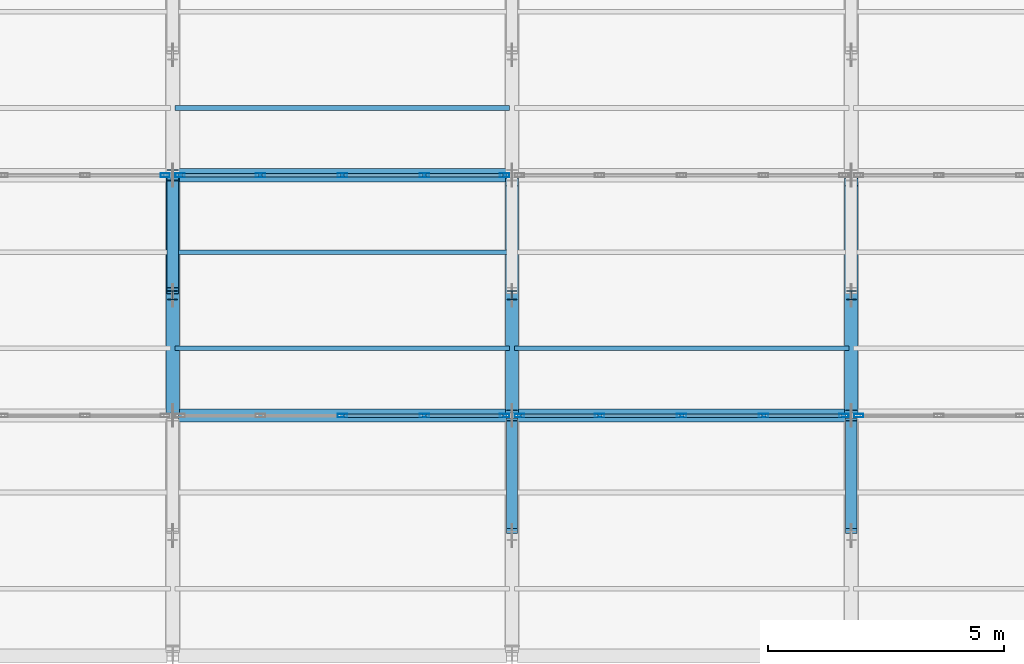
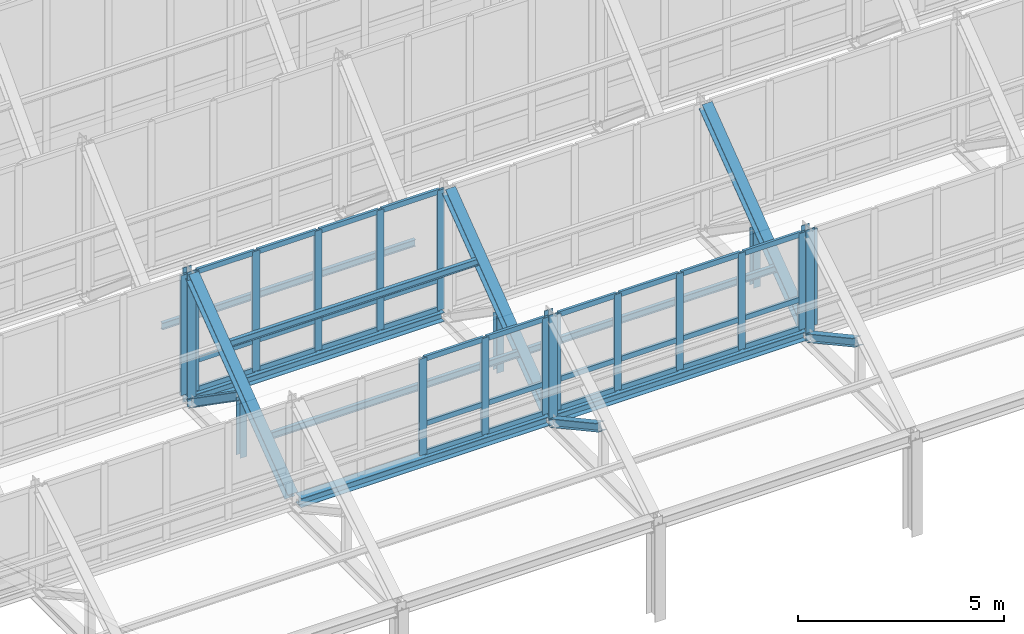
# One storey, part 26 of 157: 61 members, 3 beams, 5 elements without a shape of their own.
"""IFC4 building model written with IfcOpenShell, lengths in metres."""

from ifc_helpers import new_model, si_unit, direction, frame, origin, origin_2d, place, context, subcontext, project, spatial, hollow_rectangle, i_section, extrude, material, material_profile, profile_set, type_object, element, aggregate, save


model = new_model("IFC4")

# Units and contexts
model_context = context("Model", 3, precision=1e-05, world=origin(), true_north=direction((0.0, 1.0)))
body_context = subcontext(model_context, "Body", "Model", "MODEL_VIEW")
ifc_project = project(units=[si_unit("LENGTHUNIT", "METRE"), si_unit("AREAUNIT", "SQUARE_METRE"), si_unit("VOLUMEUNIT", "CUBIC_METRE"), si_unit("PLANEANGLEUNIT", "RADIAN"), si_unit("MASSUNIT", "GRAM", prefix="KILO")], contexts=[model_context])

# Site, building, storey
site_placement = place(None, origin())
site = spatial("IfcSite", under=ifc_project, at=site_placement, CompositionType="ELEMENT")
building_placement = place(site_placement, origin())
building = spatial("IfcBuilding", under=site, at=building_placement, Name="Suanplinth Sawtooth Commons", CompositionType="ELEMENT")
storey_placement = place(building_placement, frame((0.0, 0.0, 9.0)))
storey = spatial("IfcBuildingStorey", under=building, at=storey_placement, Name="L02", CompositionType="ELEMENT", Elevation=9.0)

# Beams
ifc_material_1 = material(Name="Steel S355JR", Category="steel")
ifc_material_profile_1 = material_profile(ifc_material_1, i_section(OverallWidth=0.280029296875, OverallDepth=0.27001953125, WebThickness=0.008056640625, FlangeThickness=0.012939453125, at=origin_2d()), Name="HEA 280")
ifc_profile_set_1 = profile_set([ifc_material_profile_1], Name="Steel S355JR")
beam_type = type_object("IfcBeamType", Name="B-16", PredefinedType="USERDEFINED", material=ifc_profile_set_1)
for number, where, z_axis, x_axis, name in (
    (1, (79.320068359375, 55.5, 2.820068359375), (1.0, 0.0, 0.0), (0.0, 1.0, 0.0), "Sawtooth Valley Girder T2-B3"),
    (2, (86.52001953125, 55.5, 2.820068359375), (1.0, 0.0, 0.0), (0.0, 1.0, 0.0), "Sawtooth Valley Girder T2-B4"),
    (3, (79.320068359375, 60.60009765625, 2.820068359375), (1.0, 0.0, 0.0), (0.0, 1.0, 0.0), "Sawtooth Valley Girder T3-B3"),
):
    element("IfcBeam", number, at=place(storey_placement, frame(where, z_axis=z_axis, x_axis=x_axis)), inside=storey, type_object=beam_type, Name=name, ObjectType="GIRDER", PredefinedType="USERDEFINED", context=body_context, shape_type="SweptSolid", body=[
        extrude(i_section(OverallWidth=0.280029296875, OverallDepth=0.27001953125, WebThickness=0.008056640625, FlangeThickness=0.012939453125, at=origin_2d()), origin(), (0.0, 0.0, 1.0), 6.9599609375),
    ])

# Members
ifc_material_profile_2 = material_profile(ifc_material_1, i_section(OverallWidth=0.280029296875, OverallDepth=0.280029296875, WebThickness=0.010498046875, FlangeThickness=0.01806640625, at=origin_2d()), Name="HEB 280")
ifc_profile_set_2 = profile_set([ifc_material_profile_2], Name="Steel S355JR")
member_type_1 = type_object("IfcMemberType", Name="M-02", PredefinedType="CHORD", material=ifc_profile_set_2)
for number, where, z_axis, x_axis, name in (
    (4, (79.199951171875, 55.639892578125, 2.919921875), (0.0, 0.799596436712, 0.600537707723), (-1.0, 0.0, 0.0), "Sawtooth Truss T3 Top Chord 2"),
    (5, (86.39990234375, 55.639892578125, 2.919921875), (0.0, 0.799596436712, 0.600537707723), (-1.0, 0.0, 0.0), "Sawtooth Truss T4 Top Chord 2"),
    (6, (93.60009765625, 55.639892578125, 2.919921875), (0.0, 0.799596436712, 0.600537707723), (-1.0, 0.0, 0.0), "Sawtooth Truss T5 Top Chord 2"),
):
    element("IfcMember", number, at=place(storey_placement, frame(where, z_axis=z_axis, x_axis=x_axis)), inside=storey, type_object=member_type_1, Name=name, PredefinedType="CHORD", context=body_context, shape_type="SweptSolid", body=[
        extrude(i_section(OverallWidth=0.280029296875, OverallDepth=0.280029296875, WebThickness=0.010498046875, FlangeThickness=0.01806640625, at=origin_2d()), origin(), (0.0, 0.0, 1.0), 6.028076171875),
    ])
ifc_material_profile_3 = material_profile(ifc_material_1, i_section(OverallWidth=0.239990234375, OverallDepth=0.22998046875, WebThickness=0.007568359375, FlangeThickness=0.011962890625, at=origin_2d()), Name="HEA 240")
ifc_profile_set_3 = profile_set([ifc_material_profile_3], Name="Steel S355JR")
member_type_2 = type_object("IfcMemberType", Name="M-03", PredefinedType="BRACE", material=ifc_profile_set_3)
member_1_placement = place(storey_placement, frame((79.199951171875, 58.14990234375, 4.3701171875), z_axis=(0.0, 0.821038438566, -0.570872912649), x_axis=(-1.0, 0.0, 0.0)))
element("IfcMember", 7, at=member_1_placement, inside=storey, type_object=member_type_2, Name="Sawtooth Truss T3 Web Diagonal 2", PredefinedType="BRACE", context=body_context, shape_type="SweptSolid", body=[
    extrude(i_section(OverallWidth=0.239990234375, OverallDepth=0.22998046875, WebThickness=0.007568359375, FlangeThickness=0.011962890625, at=origin_2d()), origin(), (0.0, 0.0, 1.0), 2.837890625),
])
for number, where, z_axis, x_axis, name in (
    (8, (86.39990234375, 53.050048828125, 4.02001953125), (0.0, 0.878022125023, -0.478620045517), (-1.0, 0.0, 0.0), "Sawtooth Truss T4 Web Diagonal 1"),
    (9, (93.60009765625, 53.050048828125, 4.02001953125), (0.0, 0.878022125023, -0.478620045517), (-1.0, 0.0, 0.0), "Sawtooth Truss T5 Web Diagonal 1"),
):
    element("IfcMember", number, at=place(storey_placement, frame(where, z_axis=z_axis, x_axis=x_axis)), inside=storey, type_object=member_type_2, Name=name, PredefinedType="BRACE", context=body_context, shape_type="SweptSolid", body=[
        extrude(i_section(OverallWidth=0.239990234375, OverallDepth=0.22998046875, WebThickness=0.007568359375, FlangeThickness=0.011962890625, at=origin_2d()), origin(), (0.0, 0.0, 1.0), 2.653564453125),
    ])
ifc_material_profile_4 = material_profile(ifc_material_1, i_section(OverallWidth=0.199951171875, OverallDepth=0.18994140625, WebThickness=0.006591796875, FlangeThickness=0.010009765625, at=origin_2d()), Name="HEA 200")
ifc_profile_set_4 = profile_set([ifc_material_profile_4], Name="Steel S355JR")
member_type_3 = type_object("IfcMemberType", Name="M-04", PredefinedType="BRACE", material=ifc_profile_set_4)
for number, where, z_axis, x_axis, name in (
    (10, (79.199951171875, 58.050048828125, 2.64990234375), (0.0, 0.0, 1.0), (1.0, 0.0, 0.0), "Sawtooth Truss T3 Mid Web Post 2"),
    (11, (86.39990234375, 58.050048828125, 2.64990234375), (0.0, 0.0, 1.0), (1.0, 0.0, 0.0), "Sawtooth Truss T4 Mid Web Post 2"),
    (12, (93.60009765625, 58.050048828125, 2.64990234375), (0.0, 0.0, 1.0), (1.0, 0.0, 0.0), "Sawtooth Truss T5 Mid Web Post 2"),
):
    element("IfcMember", number, at=place(storey_placement, frame(where, z_axis=z_axis, x_axis=x_axis)), inside=storey, type_object=member_type_3, Name=name, PredefinedType="BRACE", context=body_context, shape_type="SweptSolid", body=[
        extrude(i_section(OverallWidth=0.199951171875, OverallDepth=0.18994140625, WebThickness=0.006591796875, FlangeThickness=0.010009765625, at=origin_2d()), origin(), (0.0, 0.0, 1.0), 1.7001953125),
    ])
ifc_material_profile_5 = material_profile(ifc_material_1, i_section(OverallWidth=0.239990234375, OverallDepth=0.239990234375, WebThickness=0.010009765625, FlangeThickness=0.01708984375, at=origin_2d()), Name="HEB 240")
ifc_profile_set_5 = profile_set([ifc_material_profile_5], Name="Steel S355JR")
member_type_4 = type_object("IfcMemberType", Name="M-05", PredefinedType="POST", material=ifc_profile_set_5)
member_2_placement = place(storey_placement, frame((79.199951171875, 60.60009765625, 2.64990234375), z_axis=(0.0, 0.0, 1.0), x_axis=(1.0, 0.0, 0.0)))
element("IfcMember", 13, at=member_2_placement, inside=storey, type_object=member_type_4, Name="Sawtooth Truss T3 Clerestory Post 2", PredefinedType="POST", context=body_context, shape_type="SweptSolid", body=[
    extrude(i_section(OverallWidth=0.239990234375, OverallDepth=0.239990234375, WebThickness=0.010009765625, FlangeThickness=0.01708984375, at=origin_2d()), origin(), (0.0, 0.0, 1.0), 3.989990234375),
])
for number, where, z_axis, x_axis, name in (
    (14, (86.39990234375, 55.5, 2.64990234375), (0.0, 0.0, 1.0), (1.0, 0.0, 0.0), "Sawtooth Truss T4 Clerestory Post 1"),
    (15, (93.60009765625, 55.5, 2.64990234375), (0.0, 0.0, 1.0), (1.0, 0.0, 0.0), "Sawtooth Truss T5 Clerestory Post 1"),
):
    element("IfcMember", number, at=place(storey_placement, frame(where, z_axis=z_axis, x_axis=x_axis)), inside=storey, type_object=member_type_4, Name=name, PredefinedType="POST", context=body_context, shape_type="SweptSolid", body=[
        extrude(i_section(OverallWidth=0.239990234375, OverallDepth=0.239990234375, WebThickness=0.010009765625, FlangeThickness=0.01708984375, at=origin_2d()), origin(), (0.0, 0.0, 1.0), 3.2900390625),
    ])
ifc_material_2 = material(Name="Steel SS400", Category="steel")
ifc_material_profile_6 = material_profile(ifc_material_2, i_section(OverallWidth=0.10009765625, OverallDepth=0.199951171875, WebThickness=0.005615234375, FlangeThickness=0.008544921875, at=origin_2d()), Name="IPE 200")
ifc_profile_set_6 = profile_set([ifc_material_profile_6], Name="Steel SS400")
member_type_5 = type_object("IfcMemberType", Name="M-06", PredefinedType="PURLIN", material=ifc_profile_set_6)
for number, where, z_axis, x_axis, name in (
    (16, (79.25, 56.927978515625, 3.87353515625), (1.0, 0.0, 0.0), (0.0, 1.0, 0.0), "Sawtooth Roof Purlin T2-B3-P1"),
    (17, (79.25, 58.968017578125, 5.353515625), (1.0, 0.0, 0.0), (0.0, 1.0, 0.0), "Sawtooth Roof Purlin T2-B3-P2"),
    (18, (86.449951171875, 56.927978515625, 3.87353515625), (1.0, 0.0, 0.0), (0.0, 1.0, 0.0), "Sawtooth Roof Purlin T2-B4-P1"),
    (19, (79.25, 62.028076171875, 4.067138671875), (1.0, 0.0, 0.0), (0.0, 1.0, 0.0), "Sawtooth Roof Purlin T3-B3-P1"),
):
    element("IfcMember", number, at=place(storey_placement, frame(where, z_axis=z_axis, x_axis=x_axis)), inside=storey, type_object=member_type_5, Name=name, PredefinedType="PURLIN", context=body_context, shape_type="SweptSolid", body=[
        extrude(i_section(OverallWidth=0.10009765625, OverallDepth=0.199951171875, WebThickness=0.005615234375, FlangeThickness=0.008544921875, at=origin_2d()), origin(), (0.0, 0.0, 1.0), 7.10009765625),
    ])

# Curtain wall, members
ifc_material_3 = material(Name="Anodized aluminium and low-E glazing", Category="aluminium")
curtain_wall_type = type_object("IfcCurtainWallType", Name="CW-03", PredefinedType="USERDEFINED", material=ifc_material_3)
curtain_wall_1_placement = place(storey_placement, origin())
curtain_wall_1 = element("IfcCurtainWall", 20, at=curtain_wall_1_placement, inside=storey, type_object=curtain_wall_type, Name="Curtain Wall CW-SAW-T1-B3", ObjectType="CURTAIN WALL", PredefinedType="USERDEFINED")
ifc_material_4 = material(Name="Anodized aluminium 6063-T6", Category="aluminium")
ifc_material_profile_7 = material_profile(ifc_material_4, hollow_rectangle(XDim=0.074951171875, YDim=0.199951171875, WallThickness=0.0048828125, at=origin_2d()), Name="ALU-MUL 75x200")
ifc_profile_set_7 = profile_set([ifc_material_profile_7], Name="Anodized aluminium 6063-T6")
member_type_6 = type_object("IfcMemberType", Name="M-14", PredefinedType="MULLION", material=ifc_profile_set_7)
member_3_placement = place(storey_placement, frame((82.800048828125, 55.5, 2.97998046875), z_axis=(0.0, 0.0, 1.0), x_axis=(0.0, 1.0, 0.0)))
member_3 = element("IfcMember", 21, at=member_3_placement, type_object=member_type_6, Name="CW-03 mullion 3", PredefinedType="MULLION", context=body_context, shape_type="SweptSolid", body=[
    extrude(hollow_rectangle(XDim=0.074951171875, YDim=0.199951171875, WallThickness=0.0048828125, at=origin_2d()), origin(), (0.0, 0.0, 1.0), 2.860107421875),
])
member_4_placement = place(storey_placement, frame((84.5400390625, 55.5, 2.97998046875), z_axis=(0.0, 0.0, 1.0), x_axis=(0.0, 1.0, 0.0)))
member_4 = element("IfcMember", 22, at=member_4_placement, type_object=member_type_6, Name="CW-03 mullion 4", PredefinedType="MULLION", context=body_context, shape_type="SweptSolid", body=[
    extrude(hollow_rectangle(XDim=0.074951171875, YDim=0.199951171875, WallThickness=0.0048828125, at=origin_2d()), origin(), (0.0, 0.0, 1.0), 2.860107421875),
])
member_5_placement = place(storey_placement, frame((86.242431640625, 55.5, 2.97998046875), z_axis=(0.0, 0.0, 1.0), x_axis=(0.0, 1.0, 0.0)))
member_5 = element("IfcMember", 23, at=member_5_placement, type_object=member_type_6, Name="CW-03 mullion 5", PredefinedType="MULLION", context=body_context, shape_type="SweptSolid", body=[
    extrude(hollow_rectangle(XDim=0.074951171875, YDim=0.199951171875, WallThickness=0.0048828125, at=origin_2d()), origin(), (0.0, 0.0, 1.0), 2.860107421875),
])

curtain_wall_2_placement = place(storey_placement, origin())
curtain_wall_2 = element("IfcCurtainWall", 24, at=curtain_wall_2_placement, inside=storey, type_object=curtain_wall_type, Name="Curtain Wall CW-SAW-T1-B4", ObjectType="CURTAIN WALL", PredefinedType="USERDEFINED")
member_6_placement = place(storey_placement, frame((86.5576171875, 55.5, 2.97998046875), z_axis=(0.0, 0.0, 1.0), x_axis=(0.0, 1.0, 0.0)))
member_6 = element("IfcMember", 25, at=member_6_placement, type_object=member_type_6, Name="CW-03 mullion 1", PredefinedType="MULLION", context=body_context, shape_type="SweptSolid", body=[
    extrude(hollow_rectangle(XDim=0.074951171875, YDim=0.199951171875, WallThickness=0.0048828125, at=origin_2d()), origin(), (0.0, 0.0, 1.0), 2.860107421875),
])
member_7_placement = place(storey_placement, frame((88.260009765625, 55.5, 2.97998046875), z_axis=(0.0, 0.0, 1.0), x_axis=(0.0, 1.0, 0.0)))
member_7 = element("IfcMember", 26, at=member_7_placement, type_object=member_type_6, Name="CW-03 mullion 2", PredefinedType="MULLION", context=body_context, shape_type="SweptSolid", body=[
    extrude(hollow_rectangle(XDim=0.074951171875, YDim=0.199951171875, WallThickness=0.0048828125, at=origin_2d()), origin(), (0.0, 0.0, 1.0), 2.860107421875),
])
member_8_placement = place(storey_placement, frame((90.0, 55.5, 2.97998046875), z_axis=(0.0, 0.0, 1.0), x_axis=(0.0, 1.0, 0.0)))
member_8 = element("IfcMember", 27, at=member_8_placement, type_object=member_type_6, Name="CW-03 mullion 3", PredefinedType="MULLION", context=body_context, shape_type="SweptSolid", body=[
    extrude(hollow_rectangle(XDim=0.074951171875, YDim=0.199951171875, WallThickness=0.0048828125, at=origin_2d()), origin(), (0.0, 0.0, 1.0), 2.860107421875),
])
member_9_placement = place(storey_placement, frame((91.739990234375, 55.5, 2.97998046875), z_axis=(0.0, 0.0, 1.0), x_axis=(0.0, 1.0, 0.0)))
member_9 = element("IfcMember", 28, at=member_9_placement, type_object=member_type_6, Name="CW-03 mullion 4", PredefinedType="MULLION", context=body_context, shape_type="SweptSolid", body=[
    extrude(hollow_rectangle(XDim=0.074951171875, YDim=0.199951171875, WallThickness=0.0048828125, at=origin_2d()), origin(), (0.0, 0.0, 1.0), 2.860107421875),
])
member_10_placement = place(storey_placement, frame((93.4423828125, 55.5, 2.97998046875), z_axis=(0.0, 0.0, 1.0), x_axis=(0.0, 1.0, 0.0)))
member_10 = element("IfcMember", 29, at=member_10_placement, type_object=member_type_6, Name="CW-03 mullion 5", PredefinedType="MULLION", context=body_context, shape_type="SweptSolid", body=[
    extrude(hollow_rectangle(XDim=0.074951171875, YDim=0.199951171875, WallThickness=0.0048828125, at=origin_2d()), origin(), (0.0, 0.0, 1.0), 2.860107421875),
])

# Curtain wall, member
curtain_wall_3_placement = place(storey_placement, origin())
curtain_wall_3 = element("IfcCurtainWall", 30, at=curtain_wall_3_placement, inside=storey, type_object=curtain_wall_type, Name="Curtain Wall CW-SAW-T1-B5", ObjectType="CURTAIN WALL", PredefinedType="USERDEFINED")
member_11_placement = place(storey_placement, frame((93.757568359375, 55.5, 2.97998046875), z_axis=(0.0, 0.0, 1.0), x_axis=(0.0, 1.0, 0.0)))
member_11 = element("IfcMember", 31, at=member_11_placement, type_object=member_type_6, Name="CW-03 mullion 1", PredefinedType="MULLION", context=body_context, shape_type="SweptSolid", body=[
    extrude(hollow_rectangle(XDim=0.074951171875, YDim=0.199951171875, WallThickness=0.0048828125, at=origin_2d()), origin(), (0.0, 0.0, 1.0), 2.860107421875),
])
aggregate(curtain_wall_3, [member_11])

curtain_wall_4_placement = place(storey_placement, origin())
curtain_wall_4 = element("IfcCurtainWall", 32, at=curtain_wall_4_placement, inside=storey, type_object=curtain_wall_type, Name="Curtain Wall CW-SAW-T2-B2", ObjectType="CURTAIN WALL", PredefinedType="USERDEFINED")
member_12_placement = place(storey_placement, frame((79.04248046875, 60.60009765625, 2.97998046875), z_axis=(0.0, 0.0, 1.0), x_axis=(0.0, 1.0, 0.0)))
member_12 = element("IfcMember", 33, at=member_12_placement, type_object=member_type_6, Name="CW-03 mullion 5", PredefinedType="MULLION", context=body_context, shape_type="SweptSolid", body=[
    extrude(hollow_rectangle(XDim=0.074951171875, YDim=0.199951171875, WallThickness=0.0048828125, at=origin_2d()), origin(), (0.0, 0.0, 1.0), 3.56005859375),
])
aggregate(curtain_wall_4, [member_12])

# Curtain wall, members
curtain_wall_5_placement = place(storey_placement, origin())
curtain_wall_5 = element("IfcCurtainWall", 34, at=curtain_wall_5_placement, inside=storey, type_object=curtain_wall_type, Name="Curtain Wall CW-SAW-T2-B3", ObjectType="CURTAIN WALL", PredefinedType="USERDEFINED")
member_13_placement = place(storey_placement, frame((79.357421875, 60.60009765625, 2.97998046875), z_axis=(0.0, 0.0, 1.0), x_axis=(0.0, 1.0, 0.0)))
member_13 = element("IfcMember", 35, at=member_13_placement, type_object=member_type_6, Name="CW-03 mullion 1", PredefinedType="MULLION", context=body_context, shape_type="SweptSolid", body=[
    extrude(hollow_rectangle(XDim=0.074951171875, YDim=0.199951171875, WallThickness=0.0048828125, at=origin_2d()), origin(), (0.0, 0.0, 1.0), 3.56005859375),
])
member_14_placement = place(storey_placement, frame((81.06005859375, 60.60009765625, 2.97998046875), z_axis=(0.0, 0.0, 1.0), x_axis=(0.0, 1.0, 0.0)))
member_14 = element("IfcMember", 36, at=member_14_placement, type_object=member_type_6, Name="CW-03 mullion 2", PredefinedType="MULLION", context=body_context, shape_type="SweptSolid", body=[
    extrude(hollow_rectangle(XDim=0.074951171875, YDim=0.199951171875, WallThickness=0.0048828125, at=origin_2d()), origin(), (0.0, 0.0, 1.0), 3.56005859375),
])
member_15_placement = place(storey_placement, frame((82.800048828125, 60.60009765625, 2.97998046875), z_axis=(0.0, 0.0, 1.0), x_axis=(0.0, 1.0, 0.0)))
member_15 = element("IfcMember", 37, at=member_15_placement, type_object=member_type_6, Name="CW-03 mullion 3", PredefinedType="MULLION", context=body_context, shape_type="SweptSolid", body=[
    extrude(hollow_rectangle(XDim=0.074951171875, YDim=0.199951171875, WallThickness=0.0048828125, at=origin_2d()), origin(), (0.0, 0.0, 1.0), 3.56005859375),
])
member_16_placement = place(storey_placement, frame((84.5400390625, 60.60009765625, 2.97998046875), z_axis=(0.0, 0.0, 1.0), x_axis=(0.0, 1.0, 0.0)))
member_16 = element("IfcMember", 38, at=member_16_placement, type_object=member_type_6, Name="CW-03 mullion 4", PredefinedType="MULLION", context=body_context, shape_type="SweptSolid", body=[
    extrude(hollow_rectangle(XDim=0.074951171875, YDim=0.199951171875, WallThickness=0.0048828125, at=origin_2d()), origin(), (0.0, 0.0, 1.0), 3.56005859375),
])
member_17_placement = place(storey_placement, frame((86.242431640625, 60.60009765625, 2.97998046875), z_axis=(0.0, 0.0, 1.0), x_axis=(0.0, 1.0, 0.0)))
member_17 = element("IfcMember", 39, at=member_17_placement, type_object=member_type_6, Name="CW-03 mullion 5", PredefinedType="MULLION", context=body_context, shape_type="SweptSolid", body=[
    extrude(hollow_rectangle(XDim=0.074951171875, YDim=0.199951171875, WallThickness=0.0048828125, at=origin_2d()), origin(), (0.0, 0.0, 1.0), 3.56005859375),
])

# Member
ifc_material_profile_8 = material_profile(ifc_material_4, hollow_rectangle(XDim=0.074951171875, YDim=0.14990234375, WallThickness=0.00439453125, at=origin_2d()), Name="ALU-TRN 75x150")
ifc_profile_set_8 = profile_set([ifc_material_profile_8], Name="Anodized aluminium 6063-T6")
member_type_7 = type_object("IfcMemberType", Name="M-16", PredefinedType="USERDEFINED", material=ifc_profile_set_8)
member_18_placement = place(storey_placement, frame((82.83740234375, 55.5, 3.017578125), z_axis=(1.0, 0.0, 0.0), x_axis=(0.0, 1.0, 0.0)))
member_18 = element("IfcMember", 40, at=member_18_placement, type_object=member_type_7, Name="CW-03 transom 3.1", ObjectType="TRANSOM", PredefinedType="USERDEFINED", context=body_context, shape_type="SweptSolid", body=[
    extrude(hollow_rectangle(XDim=0.074951171875, YDim=0.14990234375, WallThickness=0.00439453125, at=origin_2d()), origin(), (0.0, 0.0, 1.0), 1.6650390625),
])

member_19_placement = place(storey_placement, frame((82.83740234375, 55.5, 3.8798828125), z_axis=(1.0, 0.0, 0.0), x_axis=(0.0, 1.0, 0.0)))
member_19 = element("IfcMember", 41, at=member_19_placement, type_object=member_type_7, Name="CW-03 transom 3.2", ObjectType="TRANSOM", PredefinedType="USERDEFINED", context=body_context, shape_type="SweptSolid", body=[
    extrude(hollow_rectangle(XDim=0.074951171875, YDim=0.14990234375, WallThickness=0.00439453125, at=origin_2d()), origin(), (0.0, 0.0, 1.0), 1.6650390625),
])

member_20_placement = place(storey_placement, frame((82.83740234375, 55.5, 5.802490234375), z_axis=(1.0, 0.0, 0.0), x_axis=(0.0, 1.0, 0.0)))
member_20 = element("IfcMember", 42, at=member_20_placement, type_object=member_type_7, Name="CW-03 transom 3.3", ObjectType="TRANSOM", PredefinedType="USERDEFINED", context=body_context, shape_type="SweptSolid", body=[
    extrude(hollow_rectangle(XDim=0.074951171875, YDim=0.14990234375, WallThickness=0.00439453125, at=origin_2d()), origin(), (0.0, 0.0, 1.0), 1.6650390625),
])

member_21_placement = place(storey_placement, frame((84.577392578125, 55.5, 3.017578125), z_axis=(1.0, 0.0, 0.0), x_axis=(0.0, 1.0, 0.0)))
member_21 = element("IfcMember", 43, at=member_21_placement, type_object=member_type_7, Name="CW-03 transom 4.1", ObjectType="TRANSOM", PredefinedType="USERDEFINED", context=body_context, shape_type="SweptSolid", body=[
    extrude(hollow_rectangle(XDim=0.074951171875, YDim=0.14990234375, WallThickness=0.00439453125, at=origin_2d()), origin(), (0.0, 0.0, 1.0), 1.627685546875),
])

member_22_placement = place(storey_placement, frame((84.577392578125, 55.5, 3.8798828125), z_axis=(1.0, 0.0, 0.0), x_axis=(0.0, 1.0, 0.0)))
member_22 = element("IfcMember", 44, at=member_22_placement, type_object=member_type_7, Name="CW-03 transom 4.2", ObjectType="TRANSOM", PredefinedType="USERDEFINED", context=body_context, shape_type="SweptSolid", body=[
    extrude(hollow_rectangle(XDim=0.074951171875, YDim=0.14990234375, WallThickness=0.00439453125, at=origin_2d()), origin(), (0.0, 0.0, 1.0), 1.627685546875),
])

member_23_placement = place(storey_placement, frame((84.577392578125, 55.5, 5.802490234375), z_axis=(1.0, 0.0, 0.0), x_axis=(0.0, 1.0, 0.0)))
member_23 = element("IfcMember", 45, at=member_23_placement, type_object=member_type_7, Name="CW-03 transom 4.3", ObjectType="TRANSOM", PredefinedType="USERDEFINED", context=body_context, shape_type="SweptSolid", body=[
    extrude(hollow_rectangle(XDim=0.074951171875, YDim=0.14990234375, WallThickness=0.00439453125, at=origin_2d()), origin(), (0.0, 0.0, 1.0), 1.627685546875),
])

aggregate(curtain_wall_1, [member_3, member_4, member_5, member_18, member_19, member_20, member_21, member_22, member_23])

member_24_placement = place(storey_placement, frame((86.594970703125, 55.5, 3.017578125), z_axis=(1.0, 0.0, 0.0), x_axis=(0.0, 1.0, 0.0)))
member_24 = element("IfcMember", 46, at=member_24_placement, type_object=member_type_7, Name="CW-03 transom 1.1", ObjectType="TRANSOM", PredefinedType="USERDEFINED", context=body_context, shape_type="SweptSolid", body=[
    extrude(hollow_rectangle(XDim=0.074951171875, YDim=0.14990234375, WallThickness=0.00439453125, at=origin_2d()), origin(), (0.0, 0.0, 1.0), 1.62744140625),
])

member_25_placement = place(storey_placement, frame((86.594970703125, 55.5, 3.8798828125), z_axis=(1.0, 0.0, 0.0), x_axis=(0.0, 1.0, 0.0)))
member_25 = element("IfcMember", 47, at=member_25_placement, type_object=member_type_7, Name="CW-03 transom 1.2", ObjectType="TRANSOM", PredefinedType="USERDEFINED", context=body_context, shape_type="SweptSolid", body=[
    extrude(hollow_rectangle(XDim=0.074951171875, YDim=0.14990234375, WallThickness=0.00439453125, at=origin_2d()), origin(), (0.0, 0.0, 1.0), 1.62744140625),
])

member_26_placement = place(storey_placement, frame((86.594970703125, 55.5, 5.802490234375), z_axis=(1.0, 0.0, 0.0), x_axis=(0.0, 1.0, 0.0)))
member_26 = element("IfcMember", 48, at=member_26_placement, type_object=member_type_7, Name="CW-03 transom 1.3", ObjectType="TRANSOM", PredefinedType="USERDEFINED", context=body_context, shape_type="SweptSolid", body=[
    extrude(hollow_rectangle(XDim=0.074951171875, YDim=0.14990234375, WallThickness=0.00439453125, at=origin_2d()), origin(), (0.0, 0.0, 1.0), 1.62744140625),
])

member_27_placement = place(storey_placement, frame((88.297607421875, 55.5, 3.017578125), z_axis=(1.0, 0.0, 0.0), x_axis=(0.0, 1.0, 0.0)))
member_27 = element("IfcMember", 49, at=member_27_placement, type_object=member_type_7, Name="CW-03 transom 2.1", ObjectType="TRANSOM", PredefinedType="USERDEFINED", context=body_context, shape_type="SweptSolid", body=[
    extrude(hollow_rectangle(XDim=0.074951171875, YDim=0.14990234375, WallThickness=0.00439453125, at=origin_2d()), origin(), (0.0, 0.0, 1.0), 1.664794921875),
])

member_28_placement = place(storey_placement, frame((88.297607421875, 55.5, 3.8798828125), z_axis=(1.0, 0.0, 0.0), x_axis=(0.0, 1.0, 0.0)))
member_28 = element("IfcMember", 50, at=member_28_placement, type_object=member_type_7, Name="CW-03 transom 2.2", ObjectType="TRANSOM", PredefinedType="USERDEFINED", context=body_context, shape_type="SweptSolid", body=[
    extrude(hollow_rectangle(XDim=0.074951171875, YDim=0.14990234375, WallThickness=0.00439453125, at=origin_2d()), origin(), (0.0, 0.0, 1.0), 1.664794921875),
])

member_29_placement = place(storey_placement, frame((88.297607421875, 55.5, 5.802490234375), z_axis=(1.0, 0.0, 0.0), x_axis=(0.0, 1.0, 0.0)))
member_29 = element("IfcMember", 51, at=member_29_placement, type_object=member_type_7, Name="CW-03 transom 2.3", ObjectType="TRANSOM", PredefinedType="USERDEFINED", context=body_context, shape_type="SweptSolid", body=[
    extrude(hollow_rectangle(XDim=0.074951171875, YDim=0.14990234375, WallThickness=0.00439453125, at=origin_2d()), origin(), (0.0, 0.0, 1.0), 1.664794921875),
])

member_30_placement = place(storey_placement, frame((90.03759765625, 55.5, 3.017578125), z_axis=(1.0, 0.0, 0.0), x_axis=(0.0, 1.0, 0.0)))
member_30 = element("IfcMember", 52, at=member_30_placement, type_object=member_type_7, Name="CW-03 transom 3.1", ObjectType="TRANSOM", PredefinedType="USERDEFINED", context=body_context, shape_type="SweptSolid", body=[
    extrude(hollow_rectangle(XDim=0.074951171875, YDim=0.14990234375, WallThickness=0.00439453125, at=origin_2d()), origin(), (0.0, 0.0, 1.0), 1.664794921875),
])

member_31_placement = place(storey_placement, frame((90.03759765625, 55.5, 3.8798828125), z_axis=(1.0, 0.0, 0.0), x_axis=(0.0, 1.0, 0.0)))
member_31 = element("IfcMember", 53, at=member_31_placement, type_object=member_type_7, Name="CW-03 transom 3.2", ObjectType="TRANSOM", PredefinedType="USERDEFINED", context=body_context, shape_type="SweptSolid", body=[
    extrude(hollow_rectangle(XDim=0.074951171875, YDim=0.14990234375, WallThickness=0.00439453125, at=origin_2d()), origin(), (0.0, 0.0, 1.0), 1.664794921875),
])

member_32_placement = place(storey_placement, frame((90.03759765625, 55.5, 5.802490234375), z_axis=(1.0, 0.0, 0.0), x_axis=(0.0, 1.0, 0.0)))
member_32 = element("IfcMember", 54, at=member_32_placement, type_object=member_type_7, Name="CW-03 transom 3.3", ObjectType="TRANSOM", PredefinedType="USERDEFINED", context=body_context, shape_type="SweptSolid", body=[
    extrude(hollow_rectangle(XDim=0.074951171875, YDim=0.14990234375, WallThickness=0.00439453125, at=origin_2d()), origin(), (0.0, 0.0, 1.0), 1.664794921875),
])

member_33_placement = place(storey_placement, frame((91.777587890625, 55.5, 3.017578125), z_axis=(1.0, 0.0, 0.0), x_axis=(0.0, 1.0, 0.0)))
member_33 = element("IfcMember", 55, at=member_33_placement, type_object=member_type_7, Name="CW-03 transom 4.1", ObjectType="TRANSOM", PredefinedType="USERDEFINED", context=body_context, shape_type="SweptSolid", body=[
    extrude(hollow_rectangle(XDim=0.074951171875, YDim=0.14990234375, WallThickness=0.00439453125, at=origin_2d()), origin(), (0.0, 0.0, 1.0), 1.62744140625),
])

member_34_placement = place(storey_placement, frame((91.777587890625, 55.5, 3.8798828125), z_axis=(1.0, 0.0, 0.0), x_axis=(0.0, 1.0, 0.0)))
member_34 = element("IfcMember", 56, at=member_34_placement, type_object=member_type_7, Name="CW-03 transom 4.2", ObjectType="TRANSOM", PredefinedType="USERDEFINED", context=body_context, shape_type="SweptSolid", body=[
    extrude(hollow_rectangle(XDim=0.074951171875, YDim=0.14990234375, WallThickness=0.00439453125, at=origin_2d()), origin(), (0.0, 0.0, 1.0), 1.62744140625),
])

member_35_placement = place(storey_placement, frame((91.777587890625, 55.5, 5.802490234375), z_axis=(1.0, 0.0, 0.0), x_axis=(0.0, 1.0, 0.0)))
member_35 = element("IfcMember", 57, at=member_35_placement, type_object=member_type_7, Name="CW-03 transom 4.3", ObjectType="TRANSOM", PredefinedType="USERDEFINED", context=body_context, shape_type="SweptSolid", body=[
    extrude(hollow_rectangle(XDim=0.074951171875, YDim=0.14990234375, WallThickness=0.00439453125, at=origin_2d()), origin(), (0.0, 0.0, 1.0), 1.62744140625),
])

aggregate(curtain_wall_2, [member_6, member_7, member_8, member_9, member_10, member_24, member_25, member_26, member_27, member_28, member_29, member_30, member_31, member_32, member_33, member_34, member_35])

member_36_placement = place(storey_placement, frame((79.39501953125, 60.60009765625, 3.017578125), z_axis=(1.0, 0.0, 0.0), x_axis=(0.0, 1.0, 0.0)))
member_36 = element("IfcMember", 58, at=member_36_placement, type_object=member_type_7, Name="CW-03 transom 1.1", ObjectType="TRANSOM", PredefinedType="USERDEFINED", context=body_context, shape_type="SweptSolid", body=[
    extrude(hollow_rectangle(XDim=0.074951171875, YDim=0.14990234375, WallThickness=0.00439453125, at=origin_2d()), origin(), (0.0, 0.0, 1.0), 1.62744140625),
])

member_37_placement = place(storey_placement, frame((79.39501953125, 60.60009765625, 3.8798828125), z_axis=(1.0, 0.0, 0.0), x_axis=(0.0, 1.0, 0.0)))
member_37 = element("IfcMember", 59, at=member_37_placement, type_object=member_type_7, Name="CW-03 transom 1.2", ObjectType="TRANSOM", PredefinedType="USERDEFINED", context=body_context, shape_type="SweptSolid", body=[
    extrude(hollow_rectangle(XDim=0.074951171875, YDim=0.14990234375, WallThickness=0.00439453125, at=origin_2d()), origin(), (0.0, 0.0, 1.0), 1.62744140625),
])

member_38_placement = place(storey_placement, frame((79.39501953125, 60.60009765625, 6.50244140625), z_axis=(1.0, 0.0, 0.0), x_axis=(0.0, 1.0, 0.0)))
member_38 = element("IfcMember", 60, at=member_38_placement, type_object=member_type_7, Name="CW-03 transom 1.3", ObjectType="TRANSOM", PredefinedType="USERDEFINED", context=body_context, shape_type="SweptSolid", body=[
    extrude(hollow_rectangle(XDim=0.074951171875, YDim=0.14990234375, WallThickness=0.00439453125, at=origin_2d()), origin(), (0.0, 0.0, 1.0), 1.62744140625),
])

member_39_placement = place(storey_placement, frame((81.097412109375, 60.60009765625, 3.017578125), z_axis=(1.0, 0.0, 0.0), x_axis=(0.0, 1.0, 0.0)))
member_39 = element("IfcMember", 61, at=member_39_placement, type_object=member_type_7, Name="CW-03 transom 2.1", ObjectType="TRANSOM", PredefinedType="USERDEFINED", context=body_context, shape_type="SweptSolid", body=[
    extrude(hollow_rectangle(XDim=0.074951171875, YDim=0.14990234375, WallThickness=0.00439453125, at=origin_2d()), origin(), (0.0, 0.0, 1.0), 1.6650390625),
])

member_40_placement = place(storey_placement, frame((81.097412109375, 60.60009765625, 3.8798828125), z_axis=(1.0, 0.0, 0.0), x_axis=(0.0, 1.0, 0.0)))
member_40 = element("IfcMember", 62, at=member_40_placement, type_object=member_type_7, Name="CW-03 transom 2.2", ObjectType="TRANSOM", PredefinedType="USERDEFINED", context=body_context, shape_type="SweptSolid", body=[
    extrude(hollow_rectangle(XDim=0.074951171875, YDim=0.14990234375, WallThickness=0.00439453125, at=origin_2d()), origin(), (0.0, 0.0, 1.0), 1.6650390625),
])

member_41_placement = place(storey_placement, frame((81.097412109375, 60.60009765625, 6.50244140625), z_axis=(1.0, 0.0, 0.0), x_axis=(0.0, 1.0, 0.0)))
member_41 = element("IfcMember", 63, at=member_41_placement, type_object=member_type_7, Name="CW-03 transom 2.3", ObjectType="TRANSOM", PredefinedType="USERDEFINED", context=body_context, shape_type="SweptSolid", body=[
    extrude(hollow_rectangle(XDim=0.074951171875, YDim=0.14990234375, WallThickness=0.00439453125, at=origin_2d()), origin(), (0.0, 0.0, 1.0), 1.6650390625),
])

member_42_placement = place(storey_placement, frame((82.83740234375, 60.60009765625, 3.017578125), z_axis=(1.0, 0.0, 0.0), x_axis=(0.0, 1.0, 0.0)))
member_42 = element("IfcMember", 64, at=member_42_placement, type_object=member_type_7, Name="CW-03 transom 3.1", ObjectType="TRANSOM", PredefinedType="USERDEFINED", context=body_context, shape_type="SweptSolid", body=[
    extrude(hollow_rectangle(XDim=0.074951171875, YDim=0.14990234375, WallThickness=0.00439453125, at=origin_2d()), origin(), (0.0, 0.0, 1.0), 1.6650390625),
])

member_43_placement = place(storey_placement, frame((82.83740234375, 60.60009765625, 3.8798828125), z_axis=(1.0, 0.0, 0.0), x_axis=(0.0, 1.0, 0.0)))
member_43 = element("IfcMember", 65, at=member_43_placement, type_object=member_type_7, Name="CW-03 transom 3.2", ObjectType="TRANSOM", PredefinedType="USERDEFINED", context=body_context, shape_type="SweptSolid", body=[
    extrude(hollow_rectangle(XDim=0.074951171875, YDim=0.14990234375, WallThickness=0.00439453125, at=origin_2d()), origin(), (0.0, 0.0, 1.0), 1.6650390625),
])

member_44_placement = place(storey_placement, frame((82.83740234375, 60.60009765625, 6.50244140625), z_axis=(1.0, 0.0, 0.0), x_axis=(0.0, 1.0, 0.0)))
member_44 = element("IfcMember", 66, at=member_44_placement, type_object=member_type_7, Name="CW-03 transom 3.3", ObjectType="TRANSOM", PredefinedType="USERDEFINED", context=body_context, shape_type="SweptSolid", body=[
    extrude(hollow_rectangle(XDim=0.074951171875, YDim=0.14990234375, WallThickness=0.00439453125, at=origin_2d()), origin(), (0.0, 0.0, 1.0), 1.6650390625),
])

member_45_placement = place(storey_placement, frame((84.577392578125, 60.60009765625, 3.017578125), z_axis=(1.0, 0.0, 0.0), x_axis=(0.0, 1.0, 0.0)))
member_45 = element("IfcMember", 67, at=member_45_placement, type_object=member_type_7, Name="CW-03 transom 4.1", ObjectType="TRANSOM", PredefinedType="USERDEFINED", context=body_context, shape_type="SweptSolid", body=[
    extrude(hollow_rectangle(XDim=0.074951171875, YDim=0.14990234375, WallThickness=0.00439453125, at=origin_2d()), origin(), (0.0, 0.0, 1.0), 1.627685546875),
])

member_46_placement = place(storey_placement, frame((84.577392578125, 60.60009765625, 3.8798828125), z_axis=(1.0, 0.0, 0.0), x_axis=(0.0, 1.0, 0.0)))
member_46 = element("IfcMember", 68, at=member_46_placement, type_object=member_type_7, Name="CW-03 transom 4.2", ObjectType="TRANSOM", PredefinedType="USERDEFINED", context=body_context, shape_type="SweptSolid", body=[
    extrude(hollow_rectangle(XDim=0.074951171875, YDim=0.14990234375, WallThickness=0.00439453125, at=origin_2d()), origin(), (0.0, 0.0, 1.0), 1.627685546875),
])

member_47_placement = place(storey_placement, frame((84.577392578125, 60.60009765625, 6.50244140625), z_axis=(1.0, 0.0, 0.0), x_axis=(0.0, 1.0, 0.0)))
member_47 = element("IfcMember", 69, at=member_47_placement, type_object=member_type_7, Name="CW-03 transom 4.3", ObjectType="TRANSOM", PredefinedType="USERDEFINED", context=body_context, shape_type="SweptSolid", body=[
    extrude(hollow_rectangle(XDim=0.074951171875, YDim=0.14990234375, WallThickness=0.00439453125, at=origin_2d()), origin(), (0.0, 0.0, 1.0), 1.627685546875),
])

aggregate(curtain_wall_5, [member_13, member_14, member_15, member_16, member_17, member_36, member_37, member_38, member_39, member_40, member_41, member_42, member_43, member_44, member_45, member_46, member_47])

save(model, "model.ifc")
